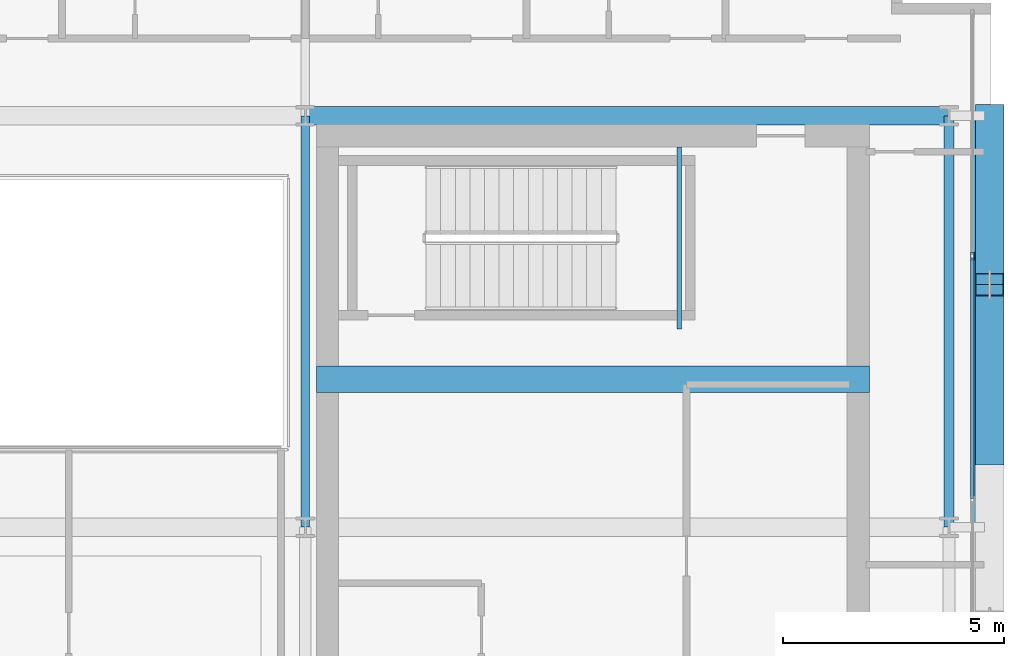
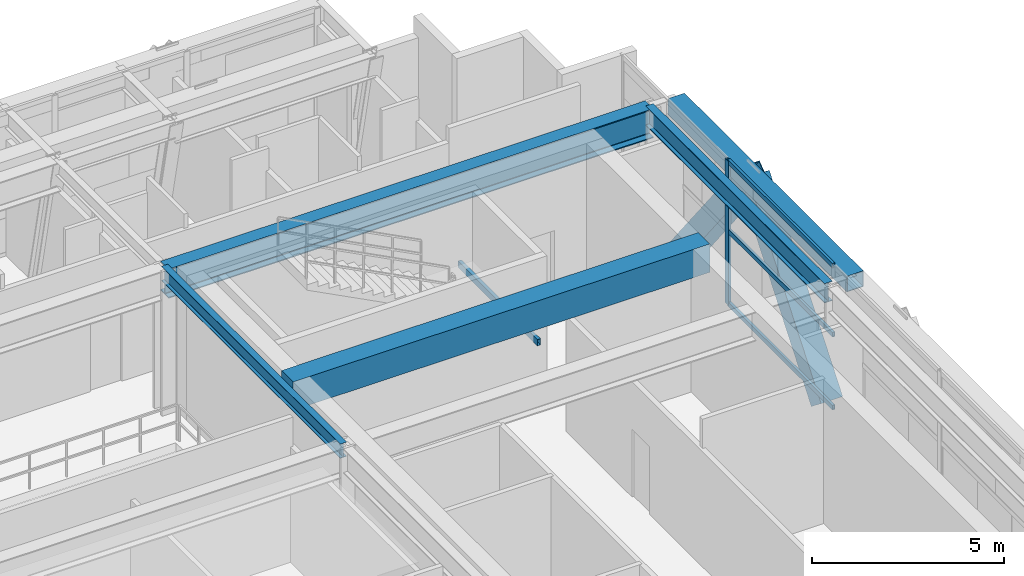
# One storey, part 13 of 31: 6 beams, 6 members, 1 element without a shape of its own.
"""IFC4 building model written with IfcOpenShell, lengths in metres."""

import ifcopenshell
import ifcopenshell.guid

model = None  # the IFC model being written
_history = None  # IfcOwnerHistory: only IFC2X3 demands one
_inside = {}  # id of a spatial element -> (the spatial element, [elements in it])
_under = {}  # id of a project, library or spatial element -> (it, [spatial elements below it])
_declared = {}  # id of a project -> (the project, [libraries it declares])
_typed = {}  # id of a type object -> (the type object, [elements of that type])
_made_of = {}  # id of a material, layer set ... -> (it, [elements and type objects made of it])


def new_model(schema):
    """Start an empty IFC model of exactly this schema.

    Asked for "IFC4X3", IfcOpenShell would pick the latest addendum, in which some entities
    have other attributes; the version numbers below select the first issue.
    IFC2X3 requires an IfcOwnerHistory on every rooted entity: one is made here for all.
    """
    global model, _history
    if schema == "IFC4X3":
        model = ifcopenshell.file(schema_version=(4, 3, 0, 0))
    else:
        model = ifcopenshell.file(schema=schema)
    _inside.clear()
    _under.clear()
    _declared.clear()
    _typed.clear()
    _made_of.clear()
    _history = None
    if model.schema == "IFC2X3":
        org = make("IfcOrganization", Name="unknown")
        user = make(
            "IfcPersonAndOrganization",
            ThePerson=make("IfcPerson", FamilyName="unknown"),
            TheOrganization=org,
        )
        app = make(
            "IfcApplication",
            ApplicationDeveloper=org,
            Version="unknown",
            ApplicationFullName="unknown",
            ApplicationIdentifier="unknown",
        )
        _history = make(
            "IfcOwnerHistory",
            OwningUser=user,
            OwningApplication=app,
            ChangeAction="ADDED",
            CreationDate=0,
        )
    return model


def make(cls, **values):
    """One entity of the class cls with the attributes given. An attribute that is None is left unset."""
    return model.create_entity(
        cls, **{name: value for name, value in values.items() if value is not None}
    )


def rooted(cls, **values):
    """An entity with a GlobalId (a new one), such as an element, a storey or a relation."""
    return make(cls, GlobalId=ifcopenshell.guid.new(), OwnerHistory=_history, **values)


def si_unit(unit_type, name, prefix=None):
    """IfcSIUnit, for example si_unit("LENGTHUNIT", "METRE", prefix="MILLI")."""
    return make("IfcSIUnit", UnitType=unit_type, Prefix=prefix, Name=name)


def assignment(units):
    """IfcUnitAssignment: the units of a project."""
    return None if units is None else make("IfcUnitAssignment", Units=units)


def point(xyz):
    """IfcCartesianPoint."""
    return None if xyz is None else make("IfcCartesianPoint", Coordinates=xyz)


def direction(xyz):
    """IfcDirection."""
    return None if xyz is None else make("IfcDirection", DirectionRatios=xyz)


def frame(location, z_axis=None, x_axis=None):
    """IfcAxis2Placement3D, a coordinate frame: its origin and axes. An axis left out is left unset."""
    return make(
        "IfcAxis2Placement3D",
        Location=point(location),
        Axis=direction(z_axis),
        RefDirection=direction(x_axis),
    )


def frame_2d(location, x_axis=None):
    """IfcAxis2Placement2D, a coordinate frame in the plane: its origin and x axis."""
    return make(
        "IfcAxis2Placement2D", Location=point(location), RefDirection=direction(x_axis)
    )


def origin():
    """The frame at (0, 0, 0) with its axes left unset."""
    return frame((0.0, 0.0, 0.0))


def origin_2d():
    """The frame at (0, 0) in the plane with its x axis left unset."""
    return frame_2d((0.0, 0.0))


def place(relative_to, where):
    """IfcLocalPlacement: puts the frame where relative to a parent placement (None: the world)."""
    return make(
        "IfcLocalPlacement", PlacementRelTo=relative_to, RelativePlacement=where
    )


def context(
    kind, dimensions, precision=None, world=None, true_north=None, identifier=None
):
    """IfcGeometricRepresentationContext, for example the 3D "Model" context."""
    return make(
        "IfcGeometricRepresentationContext",
        ContextIdentifier=identifier,
        ContextType=kind,
        CoordinateSpaceDimension=dimensions,
        Precision=precision,
        WorldCoordinateSystem=world,
        TrueNorth=true_north,
    )


def subcontext(parent, identifier, kind, view, scale=None):
    """IfcGeometricRepresentationSubContext, for example "Body" below "Model"."""
    return make(
        "IfcGeometricRepresentationSubContext",
        ContextIdentifier=identifier,
        ContextType=kind,
        ParentContext=parent,
        TargetScale=scale,
        TargetView=view,
    )


def project(units=None, contexts=None):
    """IfcProject with its units and contexts."""
    return rooted(
        "IfcProject",
        Name="project",
        RepresentationContexts=contexts,
        UnitsInContext=assignment(units),
    )


def spatial(cls, under=None, at=None, **own):
    """A site, building, storey or space (cls), placed at a placement, below another one or the project."""
    s = rooted(cls, ObjectPlacement=at, **own)
    if under is not None:
        _under.setdefault(under.id(), (under, []))[1].append(s)
    return s


def profile(cls, at=None, kind="AREA", **sizes):
    """A parametric profile (cls). Its sizes go by their IFC names, for example OverallWidth=200.0."""
    return make(cls, ProfileType=kind, Position=at, **sizes)


def rectangle(**sizes):
    """IfcRectangleProfileDef."""
    return profile("IfcRectangleProfileDef", **sizes)


def hollow_rectangle(**sizes):
    """IfcRectangleHollowProfileDef."""
    return profile("IfcRectangleHollowProfileDef", **sizes)


def i_section(**sizes):
    """IfcIShapeProfileDef."""
    return profile("IfcIShapeProfileDef", **sizes)


def extrude(swept, where, along, depth):
    """IfcExtrudedAreaSolid: the profile swept, set in the frame where, extruded along a direction by depth."""
    return make(
        "IfcExtrudedAreaSolid",
        SweptArea=swept,
        Position=where,
        ExtrudedDirection=direction(along),
        Depth=depth,
    )


def shape(context_of_items, identifier, shape_type, items):
    """IfcShapeRepresentation: the items that make up one representation, for example the "Body"."""
    return make(
        "IfcShapeRepresentation",
        ContextOfItems=context_of_items,
        RepresentationIdentifier=identifier,
        RepresentationType=shape_type,
        Items=items,
    )


def source(mapping_origin, context_of_items, identifier, shape_type, items):
    """IfcRepresentationMap: a shape defined once, which mapped items show again and again."""
    return make(
        "IfcRepresentationMap",
        MappingOrigin=mapping_origin,
        MappedRepresentation=shape(context_of_items, identifier, shape_type, items),
    )


def transform(
    local_origin,
    x_axis=None,
    y_axis=None,
    z_axis=None,
    scale=None,
    scale2=None,
    scale3=None,
    uniform=True,
):
    """IfcCartesianTransformationOperator3D, or its non-uniform kind. x_axis, y_axis, z_axis: its Axis1, 2, 3."""
    if uniform:
        return make(
            "IfcCartesianTransformationOperator3D",
            Axis1=direction(x_axis),
            Axis2=direction(y_axis),
            LocalOrigin=point(local_origin),
            Scale=scale,
            Axis3=direction(z_axis),
        )
    return make(
        "IfcCartesianTransformationOperator3DnonUniform",
        Axis1=direction(x_axis),
        Axis2=direction(y_axis),
        LocalOrigin=point(local_origin),
        Scale=scale,
        Axis3=direction(z_axis),
        Scale2=scale2,
        Scale3=scale3,
    )


def mapped(mapping_source, mapping_target):
    """IfcMappedItem: shows the shape of a source again, moved by a transform."""
    return make(
        "IfcMappedItem", MappingSource=mapping_source, MappingTarget=mapping_target
    )


def material(Name=None, Category=None):
    """IfcMaterial."""
    return make("IfcMaterial", Name=Name, Category=Category)


def layer(
    of_material, thickness, ventilated=None, Name=None, Category=None, Priority=None
):
    """IfcMaterialLayer: one layer of a wall or slab, of a material (None: an air gap)."""
    return make(
        "IfcMaterialLayer",
        Material=of_material,
        LayerThickness=thickness,
        IsVentilated=ventilated,
        Name=Name,
        Category=Category,
        Priority=Priority,
    )


def layer_set(layers, Name=None):
    """IfcMaterialLayerSet."""
    return make("IfcMaterialLayerSet", MaterialLayers=layers, LayerSetName=Name)


def material_profile(
    of_material, cross_section, Name=None, Category=None, Priority=None
):
    """IfcMaterialProfile: a cross section and its material."""
    return make(
        "IfcMaterialProfile",
        Name=Name,
        Material=of_material,
        Profile=cross_section,
        Priority=Priority,
        Category=Category,
    )


def profile_set(profiles, Name=None, composite=None):
    """IfcMaterialProfileSet."""
    return make(
        "IfcMaterialProfileSet",
        Name=Name,
        MaterialProfiles=profiles,
        CompositeProfile=composite,
    )


def made_of(thing, what):
    """Note that an element or type object is made of a material, layer set ...; save() writes the relation."""
    if what is not None:
        _made_of.setdefault(what.id(), (what, []))[1].append(thing)
    return thing


def type_object(cls, material=None, **own):
    """A type object (cls), such as IfcWallType, which elements share."""
    return made_of(rooted(cls, **own), material)


def element(
    cls,
    number,
    at=None,
    inside=None,
    cuts=None,
    type_object=None,
    material=None,
    context=None,
    identifier="Body",
    shape_type=None,
    held_by="IfcProductDefinitionShape",
    body=None,
    shapes=None,
    **own,
):
    """One element of the class cls, such as IfcWall. Its Tag is "e" and its number.

    at: its placement. inside: the storey or other place that contains it. cuts: it is an
    opening in that element (IfcRelVoidsElement). A single representation is given by context,
    identifier, shape_type and body (its items); several are given by shapes. held_by: the class
    of the entity that holds the representations. save() writes the other relations.
    """
    e = rooted(cls, Tag="e%d" % number, ObjectPlacement=at, **own)
    if body is not None:
        shapes = [shape(context, identifier, shape_type, body)]
    if shapes is not None:
        e.Representation = make(held_by, Representations=shapes)
    if inside is not None:
        _inside.setdefault(inside.id(), (inside, []))[1].append(e)
    if cuts is not None:
        rooted(
            "IfcRelVoidsElement", RelatingBuildingElement=cuts, RelatedOpeningElement=e
        )
    if type_object is not None:
        _typed.setdefault(type_object.id(), (type_object, []))[1].append(e)
    return made_of(e, material)


def aggregate(whole, parts):
    """IfcRelAggregates: a whole, such as a stair, and the parts it consists of."""
    return rooted("IfcRelAggregates", RelatingObject=whole, RelatedObjects=parts)


def save(model, path):
    """Write the relations noted so far, then the file.

    IfcRelAggregates (storeys below a building ...), IfcRelContainedInSpatialStructure (elements
    in a storey), IfcRelDefinesByType, IfcRelAssociatesMaterial and IfcRelDeclares: one each for
    every whole, place, type object, material and project.
    """
    for whole, parts in _under.values():
        aggregate(whole, parts)
    for where, things in _inside.values():
        rooted(
            "IfcRelContainedInSpatialStructure",
            RelatedElements=things,
            RelatingStructure=where,
        )
    for kind, things in _typed.values():
        rooted("IfcRelDefinesByType", RelatedObjects=things, RelatingType=kind)
    for what, things in _made_of.values():
        rooted("IfcRelAssociatesMaterial", RelatedObjects=things, RelatingMaterial=what)
    for by, libraries in _declared.values():
        rooted("IfcRelDeclares", RelatingContext=by, RelatedDefinitions=libraries)
    model.write(path)


model = new_model("IFC4")

# Units and contexts
model_context = context("Model", 3, precision=1e-05, world=origin(), true_north=direction((0.0, 1.0)))
body_context = subcontext(model_context, "Body", "Model", "MODEL_VIEW")
ifc_project = project(units=[si_unit("LENGTHUNIT", "METRE"), si_unit("AREAUNIT", "SQUARE_METRE"), si_unit("VOLUMEUNIT", "CUBIC_METRE"), si_unit("PLANEANGLEUNIT", "RADIAN"), si_unit("MASSUNIT", "GRAM", prefix="KILO")], contexts=[model_context])

# Site, building, storey
site_placement = place(None, origin())
site = spatial("IfcSite", under=ifc_project, at=site_placement, CompositionType="ELEMENT")
building_placement = place(site_placement, origin())
building = spatial("IfcBuilding", under=site, at=building_placement, Name="Ocotamira Hotel", CompositionType="ELEMENT")
storey_placement = place(building_placement, frame((0.0, 0.0, 228.0)))
storey = spatial("IfcBuildingStorey", under=building, at=storey_placement, Name="L57", CompositionType="ELEMENT", Elevation=228.0)

# Beams
ifc_material_1 = material(Name="Concrete C50/60", Category="concrete")
ifc_material_profile_1 = material_profile(ifc_material_1, rectangle(XDim=0.60009765625, YDim=0.89990234375, at=origin_2d()), Name="RC600X900")
ifc_profile_set_1 = profile_set([ifc_material_profile_1], Name="Concrete C50/60")
beam_type_1 = type_object("IfcBeamType", Name="BM-LINK-RC600", PredefinedType="LINTEL", material=ifc_profile_set_1)
shared_shape_1 = source(origin(), body_context, "Body", "SweptSolid", [
    extrude(rectangle(XDim=0.60009765625, YDim=0.89990234375, at=origin_2d()), origin(), (0.0, 0.0, 1.0), 12.5),
])
beam_1_placement = place(storey_placement, frame((40.75, 31.5, 4.1298828125), z_axis=(1.0, 0.0, 0.0), x_axis=(0.0, 1.0, 0.0)))
element("IfcBeam", 1, at=beam_1_placement, inside=storey, type_object=beam_type_1, Name="L57 East Core Coupling Beam", PredefinedType="LINTEL", context=body_context, shape_type="MappedRepresentation", body=[
    mapped(shared_shape_1, transform((0.0, 0.0, 0.0), scale=1.0)),
])
ifc_material_2 = material(Name="Steel ASTM A500 Grade C", Category="steel")
ifc_material_profile_2 = material_profile(ifc_material_2, hollow_rectangle(XDim=0.10009765625, YDim=0.199951171875, WallThickness=0.008056640625, at=origin_2d()), Name="HSS200X100X8")
ifc_profile_set_2 = profile_set([ifc_material_profile_2], Name="Steel ASTM A500 Grade C")
beam_type_2 = type_object("IfcBeamType", Name="BM-STLDG-HSS200", PredefinedType="BEAM", material=ifc_profile_set_2)
shared_shape_2 = source(origin(), body_context, "Body", "SweptSolid", [
    extrude(hollow_rectangle(XDim=0.10009765625, YDim=0.199951171875, WallThickness=0.008056640625, at=origin_2d()), origin(), (0.0, 0.0, 1.0), 4.1201171875),
])
beam_2_placement = place(storey_placement, frame((48.949951171875, 32.6298828125, 2.10009765625), z_axis=(0.0, 1.0, 0.0), x_axis=(-1.0, 0.0, 0.0)))
element("IfcBeam", 2, at=beam_2_placement, inside=storey, type_object=beam_type_2, Name="L57 Stair ST-4 Landing Bearer 1", PredefinedType="BEAM", context=body_context, shape_type="MappedRepresentation", body=[
    mapped(shared_shape_2, transform((0.0, 0.0, 0.0), scale=1.0)),
])
ifc_material_3 = material(Name="Steel ASTM A992 Grade 50", Category="steel")
ifc_material_profile_3 = material_profile(ifc_material_3, i_section(OverallWidth=0.41796875, OverallDepth=0.927001953125, WebThickness=0.019287109375, FlangeThickness=0.031982421875, FilletRadius=0.02392578125, at=origin_2d()), Name="W36X231")
ifc_profile_set_3 = profile_set([ifc_material_profile_3], Name="Steel ASTM A992 Grade 50")
beam_type_3 = type_object("IfcBeamType", Name="BM-GIRD-W36X231", PredefinedType="BEAM", material=ifc_profile_set_3)
shared_shape_3 = source(origin(), body_context, "Body", "SweptSolid", [
    extrude(i_section(OverallWidth=0.41796875, OverallDepth=0.927001953125, WebThickness=0.019287109375, FlangeThickness=0.031982421875, FilletRadius=0.02392578125, at=origin_2d()), origin(), (0.0, 0.0, 1.0), 14.550048828125),
])
beam_3_placement = place(storey_placement, frame((40.5, 37.449951171875, 4.116455078125), z_axis=(1.0, 0.0, 0.0), x_axis=(0.0, 1.0, 0.0)))
element("IfcBeam", 3, at=beam_3_placement, inside=storey, type_object=beam_type_3, Name="L57 Girder Y37.45 X40.5-55.05", PredefinedType="BEAM", context=body_context, shape_type="MappedRepresentation", body=[
    mapped(shared_shape_3, transform((0.0, 0.0, 0.0), scale=1.0)),
])
ifc_material_profile_4 = material_profile(ifc_material_3, i_section(OverallWidth=0.22998046875, OverallDepth=0.616943359375, WebThickness=0.01318359375, FlangeThickness=0.022216796875, FilletRadius=0.012939453125, at=origin_2d()), Name="W24X94")
ifc_profile_set_4 = profile_set([ifc_material_profile_4], Name="Steel ASTM A992 Grade 50")
beam_type_4 = type_object("IfcBeamType", Name="BM-PRIM-W24X94", PredefinedType="BEAM", material=ifc_profile_set_4)
shared_shape_4 = source(origin(), body_context, "Body", "SweptSolid", [
    extrude(i_section(OverallWidth=0.22998046875, OverallDepth=0.616943359375, WebThickness=0.01318359375, FlangeThickness=0.022216796875, FilletRadius=0.012939453125, at=origin_2d()), origin(), (0.0, 0.0, 1.0), 9.300048828125),
])
beam_4_placement = place(storey_placement, frame((55.050048828125, 28.14990234375, 4.271484375), z_axis=(0.0, 1.0, 0.0), x_axis=(-1.0, 0.0, 0.0)))
element("IfcBeam", 4, at=beam_4_placement, inside=storey, type_object=beam_type_4, Name="L57 Beam X55.05 Y28.15-37.45", PredefinedType="BEAM", context=body_context, shape_type="MappedRepresentation", body=[
    mapped(shared_shape_4, transform((0.0, 0.0, 0.0), scale=1.0)),
])
ifc_material_profile_5 = material_profile(ifc_material_3, i_section(OverallWidth=0.18994140625, OverallDepth=0.45703125, WebThickness=0.009033203125, FlangeThickness=0.014404296875, FilletRadius=0.010009765625, at=origin_2d()), Name="W18X50")
ifc_profile_set_5 = profile_set([ifc_material_profile_5], Name="Steel ASTM A992 Grade 50")
beam_type_5 = type_object("IfcBeamType", Name="BM-SEC-W18X50", PredefinedType="JOIST", material=ifc_profile_set_5)
shared_shape_5 = source(origin(), body_context, "Body", "SweptSolid", [
    extrude(i_section(OverallWidth=0.18994140625, OverallDepth=0.45703125, WebThickness=0.009033203125, FlangeThickness=0.014404296875, FilletRadius=0.010009765625, at=origin_2d()), origin(), (0.0, 0.0, 1.0), 9.300048828125),
])
beam_5_placement = place(storey_placement, frame((40.5, 28.14990234375, 4.3515625), z_axis=(0.0, 1.0, 0.0), x_axis=(-1.0, 0.0, 0.0)))
element("IfcBeam", 5, at=beam_5_placement, inside=storey, type_object=beam_type_5, Name="L57 Beam X40.5 Y28.15-37.45", PredefinedType="JOIST", context=body_context, shape_type="MappedRepresentation", body=[
    mapped(shared_shape_5, transform((0.0, 0.0, 0.0), scale=1.0)),
])
ifc_material_profile_6 = material_profile(ifc_material_2, hollow_rectangle(XDim=0.5, YDim=0.5, WallThickness=0.02001953125, at=origin_2d()), Name="HSS500X500X20")
ifc_profile_set_6 = profile_set([ifc_material_profile_6], Name="Steel ASTM A500 Grade C")
beam_type_6 = type_object("IfcBeamType", Name="BM-SPAN-HSS500", PredefinedType="USERDEFINED", material=ifc_profile_set_6)
shared_shape_6 = source(origin(), body_context, "Body", "SweptSolid", [
    extrude(hollow_rectangle(XDim=0.5, YDim=0.5, WallThickness=0.02001953125, at=origin_2d()), origin(), (0.0, 0.0, 1.0), 9.300048828125),
])
beam_6_placement = place(storey_placement, frame((55.85009765625, 28.14990234375, 4.330078125), z_axis=(0.0, 1.0, 0.0), x_axis=(-1.0, 0.0, 0.0)))
element("IfcBeam", 6, at=beam_6_placement, inside=storey, type_object=beam_type_6, Name="L57 Edge Spandrel E Y28.15-37.45", ObjectType="SPANDREL", PredefinedType="USERDEFINED", context=body_context, shape_type="MappedRepresentation", body=[
    mapped(shared_shape_6, transform((0.0, 0.0, 0.0), scale=1.0)),
])

# Members
ifc_material_4 = material(Name="Pale-metal coated steel ASTM A913 Grade 65", Category="steel")
ifc_material_profile_7 = material_profile(ifc_material_4, hollow_rectangle(XDim=0.64990234375, YDim=0.64990234375, WallThickness=0.02197265625, at=origin_2d()), Name="BOX650X650X22")
ifc_profile_set_7 = profile_set([ifc_material_profile_7], Name="Pale-metal coated steel ASTM A913 Grade 65")
member_type_1 = type_object("IfcMemberType", Name="MEM-EXO-BOX650", PredefinedType="BRACE", material=ifc_profile_set_7)
shared_shape_7 = source(origin(), body_context, "Body", "SweptSolid", [
    extrude(hollow_rectangle(XDim=0.64990234375, YDim=0.64990234375, WallThickness=0.02197265625, at=origin_2d()), origin(), (0.0, 0.0, 1.0), 6.1796875),
])
for number, where, z_axis, x_axis, name in (
    (7, (55.969970703125, 29.816650390625, -0.530029296875), (0.0, 0.61762087854, 0.786475969366), (-1.0, 0.0, 0.0), "L57 Exoskeleton Diagrid E2.1"),
    (8, (55.969970703125, 37.449951171875, -0.530029296875), (0.0, -0.61762087854, 0.786475969366), (1.0, 0.0, 0.0), "L57 Exoskeleton Diagrid E2.2"),
):
    element("IfcMember", number, at=place(storey_placement, frame(where, z_axis=z_axis, x_axis=x_axis)), inside=storey, type_object=member_type_1, Name=name, PredefinedType="BRACE", context=body_context, shape_type="MappedRepresentation", body=[
        mapped(shared_shape_7, transform((0.0, 0.0, 0.0), scale=1.0)),
    ])

# Curtain wall, members
ifc_material_5 = material(Name="Anodised pale-metal aluminium and solar glass", Category="aluminium")
ifc_layer = layer(ifc_material_5, 0.239990234375)
ifc_layer_set = layer_set([ifc_layer], Name="Anodised pale-metal aluminium and solar glass")
curtain_wall_type = type_object("IfcCurtainWallType", Name="CW-SYS5-SKY", PredefinedType="NOTDEFINED", material=ifc_layer_set)
curtain_wall_placement = place(storey_placement, origin())
curtain_wall = element("IfcCurtainWall", 9, at=curtain_wall_placement, inside=storey, type_object=curtain_wall_type, Name="L57 Curtain Wall CW-5 CW-L57-E", PredefinedType="NOTDEFINED")
ifc_material_6 = material(Name="Anodised pale-metal aluminium 6063-T6", Category="aluminium")
ifc_material_profile_8 = material_profile(ifc_material_6, hollow_rectangle(XDim=0.074951171875, YDim=0.14990234375, WallThickness=0.006103515625, at=origin_2d()), Name="HSS150X75X6")
ifc_profile_set_8 = profile_set([ifc_material_profile_8], Name="Anodised pale-metal aluminium 6063-T6")
member_type_2 = type_object("IfcMemberType", Name="CWT-150X75", PredefinedType="USERDEFINED", material=ifc_profile_set_8)
shared_shape_8 = source(origin(), body_context, "Body", "SweptSolid", [
    extrude(hollow_rectangle(XDim=0.074951171875, YDim=0.14990234375, WallThickness=0.006103515625, at=origin_2d()), origin(), (0.0, 0.0, 1.0), 5.43994140625),
])
member_1_placement = place(storey_placement, frame((55.580078125, 28.800048828125, 0.03759765625), z_axis=(0.0, 1.0, 0.0), x_axis=(-1.0, 0.0, 0.0)))
member_1 = element("IfcMember", 10, at=member_1_placement, type_object=member_type_2, Name="CW-5 transom 4.1", ObjectType="TRANSOM", PredefinedType="USERDEFINED", context=body_context, shape_type="MappedRepresentation", body=[
    mapped(shared_shape_8, transform((0.0, 0.0, 0.0), scale=1.0)),
])
member_2_placement = place(storey_placement, frame((55.580078125, 28.800048828125, 2.35009765625), z_axis=(0.0, 1.0, 0.0), x_axis=(-1.0, 0.0, 0.0)))
member_2 = element("IfcMember", 11, at=member_2_placement, type_object=member_type_2, Name="CW-5 transom 4.2", ObjectType="TRANSOM", PredefinedType="USERDEFINED", context=body_context, shape_type="MappedRepresentation", body=[
    mapped(shared_shape_8, transform((0.0, 0.0, 0.0), scale=1.0)),
])
member_3_placement = place(storey_placement, frame((55.580078125, 28.800048828125, 4.54248046875), z_axis=(0.0, 1.0, 0.0), x_axis=(-1.0, 0.0, 0.0)))
member_3 = element("IfcMember", 12, at=member_3_placement, type_object=member_type_2, Name="CW-5 transom 4.3", ObjectType="TRANSOM", PredefinedType="USERDEFINED", context=body_context, shape_type="MappedRepresentation", body=[
    mapped(shared_shape_8, transform((0.0, 0.0, 0.0), scale=1.0)),
])
ifc_material_profile_9 = material_profile(ifc_material_6, hollow_rectangle(XDim=0.080078125, YDim=0.179931640625, WallThickness=0.006103515625, at=origin_2d()), Name="HSS180X80X6")
ifc_profile_set_9 = profile_set([ifc_material_profile_9], Name="Anodised pale-metal aluminium 6063-T6")
member_type_3 = type_object("IfcMemberType", Name="CWM-180X75", PredefinedType="MULLION", material=ifc_profile_set_9)
shared_shape_9 = source(origin(), body_context, "Body", "SweptSolid", [
    extrude(hollow_rectangle(XDim=0.080078125, YDim=0.179931640625, WallThickness=0.006103515625, at=origin_2d()), origin(), (0.0, 0.0, 1.0), 4.580078125),
])
member_4_placement = place(storey_placement, frame((55.580078125, 34.280029296875, 0.0), z_axis=(0.0, 0.0, 1.0), x_axis=(-1.0, 0.0, 0.0)))
member_4 = element("IfcMember", 13, at=member_4_placement, type_object=member_type_3, Name="CW-5 mullion 5", PredefinedType="MULLION", context=body_context, shape_type="MappedRepresentation", body=[
    mapped(shared_shape_9, transform((0.0, 0.0, 0.0), scale=1.0)),
])
aggregate(curtain_wall, [member_4, member_1, member_2, member_3])

save(model, "model.ifc")
